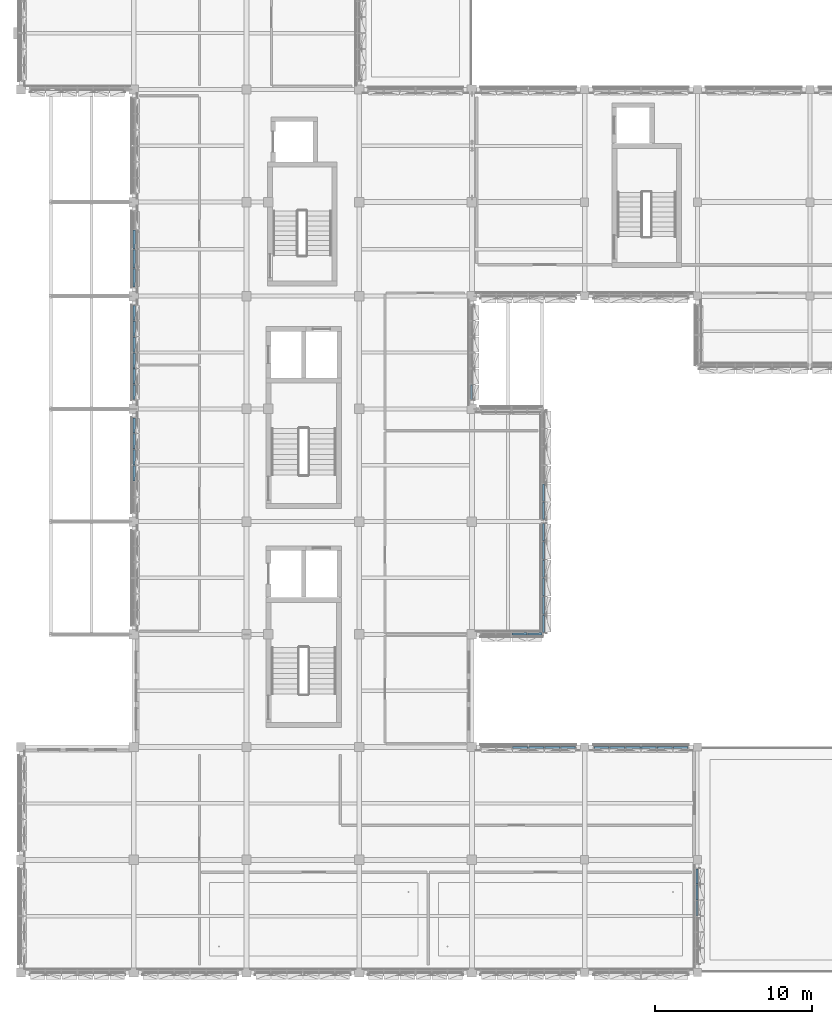
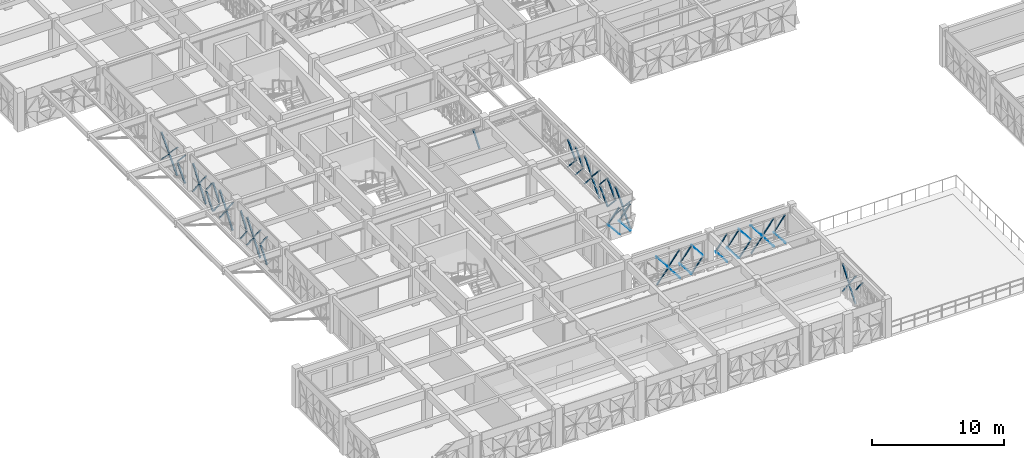
# One storey, part 58 of 99: 72 discrete accessories.
"""IFC4 building model written with IfcOpenShell, lengths in metres."""

from ifc_helpers import new_model, si_unit, direction, frame, origin, origin_2d, place, context, subcontext, project, spatial, rectangle, extrude, material, type_object, element, save


model = new_model("IFC4")

# Units and contexts
model_context = context("Model", 3, precision=1e-05, world=origin(), true_north=direction((0.0, 1.0)))
body_context = subcontext(model_context, "Body", "Model", "MODEL_VIEW")
ifc_project = project(units=[si_unit("LENGTHUNIT", "METRE"), si_unit("AREAUNIT", "SQUARE_METRE"), si_unit("VOLUMEUNIT", "CUBIC_METRE"), si_unit("PLANEANGLEUNIT", "RADIAN"), si_unit("MASSUNIT", "GRAM", prefix="KILO")], contexts=[model_context])

# Site, building, storey
site_placement = place(None, origin())
site = spatial("IfcSite", under=ifc_project, at=site_placement, CompositionType="ELEMENT")
building_placement = place(site_placement, origin())
building = spatial("IfcBuilding", under=site, at=building_placement, Name="Alvorim Cloister Faculty of Sciences", CompositionType="ELEMENT")
storey_placement = place(building_placement, frame((0.0, 0.0, 12.14990234375)))
storey = spatial("IfcBuildingStorey", under=building, at=storey_placement, Name="L03", CompositionType="ELEMENT", Elevation=12.14990234375)

# Discrete accessories
ifc_material = material(Name="Aluminium Alloy 6063-T6", Category="aluminium")
discrete_accessory_type = type_object("IfcDiscreteAccessoryType", Name="ACC-DIAG-BAR", PredefinedType="BRACKET", material=ifc_material)
discrete_accessory_1_placement = place(storey_placement, frame((7.222412109375, 31.41259765625, 0.14013671875), z_axis=(0.006477959981, 0.61793418254, 0.786203143012), x_axis=(-0.999945055239, 0.010482676365, 0.0)))
element("IfcDiscreteAccessory", 1, at=discrete_accessory_1_placement, inside=storey, type_object=discrete_accessory_type, Name="Diagonal Cassette Glazing Bracket ACC-01039", PredefinedType="BRACKET", context=body_context, shape_type="SweptSolid", body=[
    extrude(rectangle(XDim=0.139892578125, YDim=0.044921875, at=origin_2d()), origin(), (0.0, 0.0, 1.0), 1.545166015625),
])
discrete_accessory_2_placement = place(storey_placement, frame((7.222412109375, 31.41259765625, 2.710205078125), z_axis=(0.006477155362, 0.61785742976, -0.786263469168), x_axis=(-0.999945055239, 0.010482676365, 0.0)))
element("IfcDiscreteAccessory", 2, at=discrete_accessory_2_placement, inside=storey, type_object=discrete_accessory_type, Name="Diagonal Cassette Glazing Bracket ACC-01040", PredefinedType="BRACKET", context=body_context, shape_type="SweptSolid", body=[
    extrude(rectangle(XDim=0.139892578125, YDim=0.044921875, at=origin_2d()), origin(), (0.0, 0.0, 1.0), 1.54541015625),
])
discrete_accessory_3_placement = place(storey_placement, frame((7.222412109375, 32.4326171875, 0.14013671875), z_axis=(0.006477959981, 0.61793418254, 0.786203143012), x_axis=(-0.999945055239, 0.010482676365, 0.0)))
element("IfcDiscreteAccessory", 3, at=discrete_accessory_3_placement, inside=storey, type_object=discrete_accessory_type, Name="Diagonal Cassette Glazing Bracket ACC-01041", PredefinedType="BRACKET", context=body_context, shape_type="SweptSolid", body=[
    extrude(rectangle(XDim=0.139892578125, YDim=0.044921875, at=origin_2d()), origin(), (0.0, 0.0, 1.0), 1.545166015625),
])
for number, where, z_axis, x_axis, name in (
    (4, (7.222412109375, 32.4326171875, 2.710205078125), (0.006477155362, 0.61785742976, -0.786263469168), (-0.999945055239, 0.010482676365, 0.0), "Diagonal Cassette Glazing Bracket ACC-01042"),
    (5, (7.222412109375, 33.452392578125, 1.35498046875), (0.00647732753, 0.618031836495, -0.786126385072), (-0.999945083323, 0.010479997039, 0.0), "Diagonal Cassette Glazing Bracket ACC-01043"),
):
    element("IfcDiscreteAccessory", number, at=place(storey_placement, frame(where, z_axis=z_axis, x_axis=x_axis)), inside=storey, type_object=discrete_accessory_type, Name=name, PredefinedType="BRACKET", context=body_context, shape_type="SweptSolid", body=[
        extrude(rectangle(XDim=0.139892578125, YDim=0.044921875, at=origin_2d()), origin(), (0.0, 0.0, 1.0), 1.54541015625),
    ])
discrete_accessory_4_placement = place(storey_placement, frame((7.222412109375, 33.452392578125, 1.4951171875), z_axis=(0.006476523147, 0.617955086572, 0.786186724404), x_axis=(-0.999945083323, 0.010479997039, 0.0)))
element("IfcDiscreteAccessory", 6, at=discrete_accessory_4_placement, inside=storey, type_object=discrete_accessory_type, Name="Diagonal Cassette Glazing Bracket ACC-01044", PredefinedType="BRACKET", context=body_context, shape_type="SweptSolid", body=[
    extrude(rectangle(XDim=0.139892578125, YDim=0.044921875, at=origin_2d()), origin(), (0.0, 0.0, 1.0), 1.545654296875),
])
discrete_accessory_5_placement = place(storey_placement, frame((7.222412109375, 34.472412109375, 1.35498046875), z_axis=(0.006561629754, 0.604790215644, -0.796357796519), x_axis=(-0.999941150118, 0.010848792579, 0.0)))
element("IfcDiscreteAccessory", 7, at=discrete_accessory_5_placement, inside=storey, type_object=discrete_accessory_type, Name="Diagonal Cassette Glazing Bracket ACC-01045", PredefinedType="BRACKET", context=body_context, shape_type="SweptSolid", body=[
    extrude(rectangle(XDim=0.139892578125, YDim=0.044921875, at=origin_2d()), origin(), (0.0, 0.0, 1.0), 1.525390625),
])
discrete_accessory_6_placement = place(storey_placement, frame((7.222412109375, 34.472412109375, 1.4951171875), z_axis=(0.006560793558, 0.604713142785, 0.796416330151), x_axis=(-0.999941150118, 0.010848792579, 0.0)))
element("IfcDiscreteAccessory", 8, at=discrete_accessory_6_placement, inside=storey, type_object=discrete_accessory_type, Name="Diagonal Cassette Glazing Bracket ACC-01046", PredefinedType="BRACKET", context=body_context, shape_type="SweptSolid", body=[
    extrude(rectangle(XDim=0.139892578125, YDim=0.044921875, at=origin_2d()), origin(), (0.0, 0.0, 1.0), 1.525634765625),
])
discrete_accessory_7_placement = place(storey_placement, frame((7.222412109375, 36.60498046875, 0.14013671875), z_axis=(0.006561629754, 0.604790215644, 0.796357796519), x_axis=(-0.999941150118, 0.010848792579, 0.0)))
element("IfcDiscreteAccessory", 9, at=discrete_accessory_7_placement, inside=storey, type_object=discrete_accessory_type, Name="Diagonal Cassette Glazing Bracket ACC-01048", PredefinedType="BRACKET", context=body_context, shape_type="SweptSolid", body=[
    extrude(rectangle(XDim=0.139892578125, YDim=0.044921875, at=origin_2d()), origin(), (0.0, 0.0, 1.0), 1.525390625),
])
discrete_accessory_8_placement = place(storey_placement, frame((7.222412109375, 36.60498046875, 2.710205078125), z_axis=(0.006560793558, 0.604713142785, -0.796416330151), x_axis=(-0.999941150118, 0.010848792579, 0.0)))
element("IfcDiscreteAccessory", 10, at=discrete_accessory_8_placement, inside=storey, type_object=discrete_accessory_type, Name="Diagonal Cassette Glazing Bracket ACC-01049", PredefinedType="BRACKET", context=body_context, shape_type="SweptSolid", body=[
    extrude(rectangle(XDim=0.139892578125, YDim=0.044921875, at=origin_2d()), origin(), (0.0, 0.0, 1.0), 1.525634765625),
])
discrete_accessory_9_placement = place(storey_placement, frame((7.222412109375, 37.592529296875, 1.35498046875), z_axis=(0.00647732753, 0.618031836495, -0.786126385072), x_axis=(-0.999945083323, 0.010479997039, 0.0)))
element("IfcDiscreteAccessory", 11, at=discrete_accessory_9_placement, inside=storey, type_object=discrete_accessory_type, Name="Diagonal Cassette Glazing Bracket ACC-01050", PredefinedType="BRACKET", context=body_context, shape_type="SweptSolid", body=[
    extrude(rectangle(XDim=0.139892578125, YDim=0.044921875, at=origin_2d()), origin(), (0.0, 0.0, 1.0), 1.54541015625),
])
discrete_accessory_10_placement = place(storey_placement, frame((7.222412109375, 37.592529296875, 1.4951171875), z_axis=(0.006476523147, 0.617955086572, 0.786186724404), x_axis=(-0.999945083323, 0.010479997039, 0.0)))
element("IfcDiscreteAccessory", 12, at=discrete_accessory_10_placement, inside=storey, type_object=discrete_accessory_type, Name="Diagonal Cassette Glazing Bracket ACC-01051", PredefinedType="BRACKET", context=body_context, shape_type="SweptSolid", body=[
    extrude(rectangle(XDim=0.139892578125, YDim=0.044921875, at=origin_2d()), origin(), (0.0, 0.0, 1.0), 1.545654296875),
])
discrete_accessory_11_placement = place(storey_placement, frame((7.222412109375, 38.612548828125, 1.35498046875), z_axis=(0.006477959981, 0.61793418254, -0.786203143012), x_axis=(-0.999945055239, 0.010482676365, 0.0)))
element("IfcDiscreteAccessory", 13, at=discrete_accessory_11_placement, inside=storey, type_object=discrete_accessory_type, Name="Diagonal Cassette Glazing Bracket ACC-01052", PredefinedType="BRACKET", context=body_context, shape_type="SweptSolid", body=[
    extrude(rectangle(XDim=0.139892578125, YDim=0.044921875, at=origin_2d()), origin(), (0.0, 0.0, 1.0), 1.545166015625),
])
discrete_accessory_12_placement = place(storey_placement, frame((7.222412109375, 38.612548828125, 1.4951171875), z_axis=(0.006477155362, 0.61785742976, 0.786263469168), x_axis=(-0.999945055239, 0.010482676365, 0.0)))
element("IfcDiscreteAccessory", 14, at=discrete_accessory_12_placement, inside=storey, type_object=discrete_accessory_type, Name="Diagonal Cassette Glazing Bracket ACC-01053", PredefinedType="BRACKET", context=body_context, shape_type="SweptSolid", body=[
    extrude(rectangle(XDim=0.139892578125, YDim=0.044921875, at=origin_2d()), origin(), (0.0, 0.0, 1.0), 1.54541015625),
])
discrete_accessory_13_placement = place(storey_placement, frame((7.222412109375, 39.632568359375, 0.14013671875), z_axis=(0.006477959981, 0.61793418254, 0.786203143012), x_axis=(-0.999945055239, 0.010482676365, 0.0)))
element("IfcDiscreteAccessory", 15, at=discrete_accessory_13_placement, inside=storey, type_object=discrete_accessory_type, Name="Diagonal Cassette Glazing Bracket ACC-01054", PredefinedType="BRACKET", context=body_context, shape_type="SweptSolid", body=[
    extrude(rectangle(XDim=0.139892578125, YDim=0.044921875, at=origin_2d()), origin(), (0.0, 0.0, 1.0), 1.545166015625),
])
discrete_accessory_14_placement = place(storey_placement, frame((7.222412109375, 39.632568359375, 2.710205078125), z_axis=(0.006477155362, 0.61785742976, -0.786263469168), x_axis=(-0.999945055239, 0.010482676365, 0.0)))
element("IfcDiscreteAccessory", 16, at=discrete_accessory_14_placement, inside=storey, type_object=discrete_accessory_type, Name="Diagonal Cassette Glazing Bracket ACC-01055", PredefinedType="BRACKET", context=body_context, shape_type="SweptSolid", body=[
    extrude(rectangle(XDim=0.139892578125, YDim=0.044921875, at=origin_2d()), origin(), (0.0, 0.0, 1.0), 1.54541015625),
])
discrete_accessory_15_placement = place(storey_placement, frame((7.222412109375, 40.652587890625, 0.14013671875), z_axis=(0.006477959981, 0.61793418254, 0.786203143012), x_axis=(-0.999945055239, 0.010482676365, 0.0)))
element("IfcDiscreteAccessory", 17, at=discrete_accessory_15_placement, inside=storey, type_object=discrete_accessory_type, Name="Diagonal Cassette Glazing Bracket ACC-01056", PredefinedType="BRACKET", context=body_context, shape_type="SweptSolid", body=[
    extrude(rectangle(XDim=0.139892578125, YDim=0.044921875, at=origin_2d()), origin(), (0.0, 0.0, 1.0), 1.545166015625),
])
discrete_accessory_16_placement = place(storey_placement, frame((7.222412109375, 40.652587890625, 2.710205078125), z_axis=(0.006477155362, 0.61785742976, -0.786263469168), x_axis=(-0.999945055239, 0.010482676365, 0.0)))
element("IfcDiscreteAccessory", 18, at=discrete_accessory_16_placement, inside=storey, type_object=discrete_accessory_type, Name="Diagonal Cassette Glazing Bracket ACC-01057", PredefinedType="BRACKET", context=body_context, shape_type="SweptSolid", body=[
    extrude(rectangle(XDim=0.139892578125, YDim=0.044921875, at=origin_2d()), origin(), (0.0, 0.0, 1.0), 1.54541015625),
])
discrete_accessory_17_placement = place(storey_placement, frame((7.222412109375, 41.672607421875, 1.35498046875), z_axis=(0.006562264866, 0.604688699088, -0.796434877359), x_axis=(-0.999941118963, 0.010851663811, 0.0)))
element("IfcDiscreteAccessory", 19, at=discrete_accessory_17_placement, inside=storey, type_object=discrete_accessory_type, Name="Diagonal Cassette Glazing Bracket ACC-01058", PredefinedType="BRACKET", context=body_context, shape_type="SweptSolid", body=[
    extrude(rectangle(XDim=0.139892578125, YDim=0.044921875, at=origin_2d()), origin(), (0.0, 0.0, 1.0), 1.525390625),
])
discrete_accessory_18_placement = place(storey_placement, frame((7.222412109375, 41.672607421875, 1.4951171875), z_axis=(0.006561428426, 0.604611624251, 0.796493397008), x_axis=(-0.999941118963, 0.010851663811, 0.0)))
element("IfcDiscreteAccessory", 20, at=discrete_accessory_18_placement, inside=storey, type_object=discrete_accessory_type, Name="Diagonal Cassette Glazing Bracket ACC-01059", PredefinedType="BRACKET", context=body_context, shape_type="SweptSolid", body=[
    extrude(rectangle(XDim=0.139892578125, YDim=0.044921875, at=origin_2d()), origin(), (0.0, 0.0, 1.0), 1.525634765625),
])
discrete_accessory_19_placement = place(storey_placement, frame((7.222412109375, 43.804931640625, 0.14013671875), z_axis=(0.006026637726, 0.681892009975, 0.731428032256), x_axis=(-0.999960946179, 0.0088377665, 0.0)))
element("IfcDiscreteAccessory", 21, at=discrete_accessory_19_placement, inside=storey, type_object=discrete_accessory_type, Name="Diagonal Cassette Glazing Bracket ACC-01061", PredefinedType="BRACKET", context=body_context, shape_type="SweptSolid", body=[
    extrude(rectangle(XDim=0.139892578125, YDim=0.044921875, at=origin_2d()), origin(), (0.0, 0.0, 1.0), 1.660888671875),
])
discrete_accessory_20_placement = place(storey_placement, frame((7.222412109375, 43.804931640625, 2.710205078125), z_axis=(0.00602598982, 0.681818701864, -0.731496374041), x_axis=(-0.999960946179, 0.0088377665, 0.0)))
element("IfcDiscreteAccessory", 22, at=discrete_accessory_20_placement, inside=storey, type_object=discrete_accessory_type, Name="Diagonal Cassette Glazing Bracket ACC-01062", PredefinedType="BRACKET", context=body_context, shape_type="SweptSolid", body=[
    extrude(rectangle(XDim=0.139892578125, YDim=0.044921875, at=origin_2d()), origin(), (0.0, 0.0, 1.0), 1.6611328125),
])
for number, where, z_axis, x_axis, name in (
    (23, (7.222412109375, 45.00244140625, 0.14013671875), (0.005946762236, 0.692145107094, 0.721733875293), (-0.999963092655, 0.008591468315, 0.0), "Diagonal Cassette Glazing Bracket ACC-01063"),
    (24, (7.222412109375, 45.00244140625, 2.710205078125), (0.00594613975, 0.692072655757, -0.721803354506), (-0.999963092655, 0.008591468315, 0.0), "Diagonal Cassette Glazing Bracket ACC-01064"),
    (25, (7.222412109375, 46.232421875, 1.35498046875), (0.005946762236, 0.692145107094, -0.721733875293), (-0.999963092655, 0.008591468315, 0.0), "Diagonal Cassette Glazing Bracket ACC-01065"),
    (26, (7.222412109375, 46.232421875, 1.4951171875), (0.00594613975, 0.692072655757, 0.721803354506), (-0.999963092655, 0.008591468315, 0.0), "Diagonal Cassette Glazing Bracket ACC-01066"),
):
    element("IfcDiscreteAccessory", number, at=place(storey_placement, frame(where, z_axis=z_axis, x_axis=x_axis)), inside=storey, type_object=discrete_accessory_type, Name=name, PredefinedType="BRACKET", context=body_context, shape_type="SweptSolid", body=[
        extrude(rectangle(XDim=0.139892578125, YDim=0.044921875, at=origin_2d()), origin(), (0.0, 0.0, 1.0), 1.683349609375),
    ])
discrete_accessory_21_placement = place(storey_placement, frame((28.777587890625, 36.60498046875, 0.14013671875), z_axis=(-0.006561629754, 0.604790215644, 0.796357796519), x_axis=(-0.999941150118, -0.010848792579, 0.0)))
element("IfcDiscreteAccessory", 27, at=discrete_accessory_21_placement, inside=storey, type_object=discrete_accessory_type, Name="Diagonal Cassette Glazing Bracket ACC-01501", PredefinedType="BRACKET", context=body_context, shape_type="SweptSolid", body=[
    extrude(rectangle(XDim=0.139892578125, YDim=0.044921875, at=origin_2d()), origin(), (0.0, 0.0, 1.0), 1.525390625),
])
for number, where, z_axis, x_axis, name in (
    (28, (33.37744140625, 28.945068359375, 1.358642578125), (-0.006158308683, 0.661792879469, -0.749661430193), (-0.999956706716, -0.009305089645, 0.0), "Diagonal Cassette Glazing Bracket ACC-01523"),
    (29, (33.37744140625, 28.945068359375, 1.49853515625), (-0.006158308683, 0.661792879469, 0.749661430193), (-0.999956706716, -0.009305089645, 0.0), "Diagonal Cassette Glazing Bracket ACC-01524"),
):
    element("IfcDiscreteAccessory", number, at=place(storey_placement, frame(where, z_axis=z_axis, x_axis=x_axis)), inside=storey, type_object=discrete_accessory_type, Name=name, PredefinedType="BRACKET", context=body_context, shape_type="SweptSolid", body=[
        extrude(rectangle(XDim=0.139892578125, YDim=0.044921875, at=origin_2d()), origin(), (0.0, 0.0, 1.0), 1.62548828125),
    ])
for number, where, z_axis, x_axis, name in (
    (30, (33.37744140625, 30.0859375, 1.358642578125), (-0.006077290604, 0.67280053784, -0.739798961084), (-0.999959206518, -0.009032458133, 0.0), "Diagonal Cassette Glazing Bracket ACC-01525"),
    (31, (33.37744140625, 30.0859375, 1.49853515625), (-0.006077290604, 0.67280053784, 0.739798961084), (-0.999959206518, -0.009032458133, 0.0), "Diagonal Cassette Glazing Bracket ACC-01526"),
):
    element("IfcDiscreteAccessory", number, at=place(storey_placement, frame(where, z_axis=z_axis, x_axis=x_axis)), inside=storey, type_object=discrete_accessory_type, Name=name, PredefinedType="BRACKET", context=body_context, shape_type="SweptSolid", body=[
        extrude(rectangle(XDim=0.139892578125, YDim=0.044921875, at=origin_2d()), origin(), (0.0, 0.0, 1.0), 1.64697265625),
    ])
for number, where, z_axis, x_axis, name in (
    (32, (33.37744140625, 21.7451171875, 0.14013671875), (-0.006158308683, 0.661792879469, 0.749661430193), (-0.999956706716, -0.009305089645, 0.0), "Diagonal Cassette Glazing Bracket ACC-01536"),
    (33, (33.37744140625, 21.7451171875, 2.717041015625), (-0.006158308683, 0.661792879469, -0.749661430193), (-0.999956706716, -0.009305089645, 0.0), "Diagonal Cassette Glazing Bracket ACC-01537"),
):
    element("IfcDiscreteAccessory", number, at=place(storey_placement, frame(where, z_axis=z_axis, x_axis=x_axis)), inside=storey, type_object=discrete_accessory_type, Name=name, PredefinedType="BRACKET", context=body_context, shape_type="SweptSolid", body=[
        extrude(rectangle(XDim=0.139892578125, YDim=0.044921875, at=origin_2d()), origin(), (0.0, 0.0, 1.0), 1.62548828125),
    ])
for number, where, z_axis, x_axis, name in (
    (34, (33.37744140625, 22.8857421875, 1.358642578125), (-0.006076684558, 0.672881655969, -0.73972518611), (-0.999959224486, -0.009030468767, 0.0), "Diagonal Cassette Glazing Bracket ACC-01538"),
    (35, (33.37744140625, 22.8857421875, 1.49853515625), (-0.006076684558, 0.672881655969, 0.73972518611), (-0.999959224486, -0.009030468767, 0.0), "Diagonal Cassette Glazing Bracket ACC-01539"),
    (36, (33.37744140625, 24.05908203125, 1.358642578125), (-0.006076684558, 0.672881655969, -0.73972518611), (-0.999959224486, -0.009030468767, 0.0), "Diagonal Cassette Glazing Bracket ACC-01540"),
    (37, (33.37744140625, 24.05908203125, 1.49853515625), (-0.006076684558, 0.672881655969, 0.73972518611), (-0.999959224486, -0.009030468767, 0.0), "Diagonal Cassette Glazing Bracket ACC-01541"),
    (38, (33.37744140625, 25.232421875, 0.14013671875), (-0.006076684558, 0.672881655969, 0.73972518611), (-0.999959224486, -0.009030468767, 0.0), "Diagonal Cassette Glazing Bracket ACC-01542"),
    (39, (33.37744140625, 25.232421875, 2.717041015625), (-0.006076684558, 0.672881655969, -0.73972518611), (-0.999959224486, -0.009030468767, 0.0), "Diagonal Cassette Glazing Bracket ACC-01543"),
    (40, (33.37744140625, 26.40576171875, 0.14013671875), (-0.006076684558, 0.672881655969, 0.73972518611), (-0.999959224486, -0.009030468767, 0.0), "Diagonal Cassette Glazing Bracket ACC-01544"),
    (41, (33.37744140625, 26.40576171875, 2.717041015625), (-0.006076684558, 0.672881655969, -0.73972518611), (-0.999959224486, -0.009030468767, 0.0), "Diagonal Cassette Glazing Bracket ACC-01545"),
):
    element("IfcDiscreteAccessory", number, at=place(storey_placement, frame(where, z_axis=z_axis, x_axis=x_axis)), inside=storey, type_object=discrete_accessory_type, Name=name, PredefinedType="BRACKET", context=body_context, shape_type="SweptSolid", body=[
        extrude(rectangle(XDim=0.139892578125, YDim=0.044921875, at=origin_2d()), origin(), (0.0, 0.0, 1.0), 1.647216796875),
    ])
for number, where, z_axis, x_axis, name in (
    (42, (33.37744140625, 27.5791015625, 1.358642578125), (-0.00615769655, 0.661877285306, -0.749586914219), (-0.99995672636, -0.009302978394, 0.0), "Diagonal Cassette Glazing Bracket ACC-01546"),
    (43, (33.37744140625, 27.5791015625, 1.49853515625), (-0.00615769655, 0.661877285306, 0.749586914219), (-0.99995672636, -0.009302978394, 0.0), "Diagonal Cassette Glazing Bracket ACC-01547"),
):
    element("IfcDiscreteAccessory", number, at=place(storey_placement, frame(where, z_axis=z_axis, x_axis=x_axis)), inside=storey, type_object=discrete_accessory_type, Name=name, PredefinedType="BRACKET", context=body_context, shape_type="SweptSolid", body=[
        extrude(rectangle(XDim=0.139892578125, YDim=0.044921875, at=origin_2d()), origin(), (0.0, 0.0, 1.0), 1.62548828125),
    ])
for number, where, z_axis, x_axis, name in (
    (44, (31.362548828125, 21.62255859375, 1.283203125), (0.631064458964, 0.006792765245, -0.775700655519), (-0.010763356526, 0.9999420734, 0.0), "Diagonal Cassette Glazing Bracket ACC-01553"),
    (45, (31.362548828125, 21.62255859375, 1.423095703125), (0.631064458964, 0.006792765245, 0.775700655519), (-0.010763356526, 0.9999420734, 0.0), "Diagonal Cassette Glazing Bracket ACC-01554"),
):
    element("IfcDiscreteAccessory", number, at=place(storey_placement, frame(where, z_axis=z_axis, x_axis=x_axis)), inside=storey, type_object=discrete_accessory_type, Name=name, PredefinedType="BRACKET", context=body_context, shape_type="SweptSolid", body=[
        extrude(rectangle(XDim=0.139892578125, YDim=0.044921875, at=origin_2d()), origin(), (0.0, 0.0, 1.0), 1.4736328125),
    ])
for number, where, z_axis, x_axis, name in (
    (46, (32.357421875, 21.62255859375, 1.283203125), (0.617524934404, 0.006887519671, -0.78652114877), (-0.011152733966, 0.999937806329, 0.0), "Diagonal Cassette Glazing Bracket ACC-01555"),
    (47, (32.357421875, 21.62255859375, 1.423095703125), (0.617524934404, 0.006887519671, 0.78652114877), (-0.011152733966, 0.999937806329, 0.0), "Diagonal Cassette Glazing Bracket ACC-01556"),
):
    element("IfcDiscreteAccessory", number, at=place(storey_placement, frame(where, z_axis=z_axis, x_axis=x_axis)), inside=storey, type_object=discrete_accessory_type, Name=name, PredefinedType="BRACKET", context=body_context, shape_type="SweptSolid", body=[
        extrude(rectangle(XDim=0.139892578125, YDim=0.044921875, at=origin_2d()), origin(), (0.0, 0.0, 1.0), 1.453369140625),
    ])
discrete_accessory_22_placement = place(storey_placement, frame((31.41259765625, 14.37744140625, 0.14013671875), z_axis=(0.61793418254, -0.006477959981, 0.786203143012), x_axis=(0.010482676365, 0.999945055239, 0.0)))
element("IfcDiscreteAccessory", 48, at=discrete_accessory_22_placement, inside=storey, type_object=discrete_accessory_type, Name="Diagonal Cassette Glazing Bracket ACC-01562", PredefinedType="BRACKET", context=body_context, shape_type="SweptSolid", body=[
    extrude(rectangle(XDim=0.139892578125, YDim=0.044921875, at=origin_2d()), origin(), (0.0, 0.0, 1.0), 1.545166015625),
])
discrete_accessory_23_placement = place(storey_placement, frame((31.41259765625, 14.37744140625, 2.710205078125), z_axis=(0.61785742976, -0.006477155362, -0.786263469168), x_axis=(0.010482676365, 0.999945055239, 0.0)))
element("IfcDiscreteAccessory", 49, at=discrete_accessory_23_placement, inside=storey, type_object=discrete_accessory_type, Name="Diagonal Cassette Glazing Bracket ACC-01563", PredefinedType="BRACKET", context=body_context, shape_type="SweptSolid", body=[
    extrude(rectangle(XDim=0.139892578125, YDim=0.044921875, at=origin_2d()), origin(), (0.0, 0.0, 1.0), 1.54541015625),
])
discrete_accessory_24_placement = place(storey_placement, frame((32.4326171875, 14.37744140625, 1.35498046875), z_axis=(0.61793418254, -0.006477959981, -0.786203143012), x_axis=(0.010482676365, 0.999945055239, 0.0)))
element("IfcDiscreteAccessory", 50, at=discrete_accessory_24_placement, inside=storey, type_object=discrete_accessory_type, Name="Diagonal Cassette Glazing Bracket ACC-01564", PredefinedType="BRACKET", context=body_context, shape_type="SweptSolid", body=[
    extrude(rectangle(XDim=0.139892578125, YDim=0.044921875, at=origin_2d()), origin(), (0.0, 0.0, 1.0), 1.545166015625),
])
for number, where, z_axis, x_axis, name in (
    (51, (32.4326171875, 14.37744140625, 1.4951171875), (0.61785742976, -0.006477155362, 0.786263469168), (0.010482676365, 0.999945055239, 0.0), "Diagonal Cassette Glazing Bracket ACC-01565"),
    (52, (33.452392578125, 14.37744140625, 1.35498046875), (0.618031836495, -0.00647732753, -0.786126385072), (0.010479997039, 0.999945083323, 0.0), "Diagonal Cassette Glazing Bracket ACC-01566"),
):
    element("IfcDiscreteAccessory", number, at=place(storey_placement, frame(where, z_axis=z_axis, x_axis=x_axis)), inside=storey, type_object=discrete_accessory_type, Name=name, PredefinedType="BRACKET", context=body_context, shape_type="SweptSolid", body=[
        extrude(rectangle(XDim=0.139892578125, YDim=0.044921875, at=origin_2d()), origin(), (0.0, 0.0, 1.0), 1.54541015625),
    ])
discrete_accessory_25_placement = place(storey_placement, frame((33.452392578125, 14.37744140625, 1.4951171875), z_axis=(0.617955086572, -0.006476523147, 0.786186724404), x_axis=(0.010479997039, 0.999945083323, 0.0)))
element("IfcDiscreteAccessory", 53, at=discrete_accessory_25_placement, inside=storey, type_object=discrete_accessory_type, Name="Diagonal Cassette Glazing Bracket ACC-01567", PredefinedType="BRACKET", context=body_context, shape_type="SweptSolid", body=[
    extrude(rectangle(XDim=0.139892578125, YDim=0.044921875, at=origin_2d()), origin(), (0.0, 0.0, 1.0), 1.545654296875),
])
discrete_accessory_26_placement = place(storey_placement, frame((34.472412109375, 14.37744140625, 0.14013671875), z_axis=(0.604790215644, -0.006561629754, 0.796357796519), x_axis=(0.010848792579, 0.999941150118, 0.0)))
element("IfcDiscreteAccessory", 54, at=discrete_accessory_26_placement, inside=storey, type_object=discrete_accessory_type, Name="Diagonal Cassette Glazing Bracket ACC-01568", PredefinedType="BRACKET", context=body_context, shape_type="SweptSolid", body=[
    extrude(rectangle(XDim=0.139892578125, YDim=0.044921875, at=origin_2d()), origin(), (0.0, 0.0, 1.0), 1.525390625),
])
discrete_accessory_27_placement = place(storey_placement, frame((34.472412109375, 14.37744140625, 2.710205078125), z_axis=(0.604713142785, -0.006560793558, -0.796416330151), x_axis=(0.010848792579, 0.999941150118, 0.0)))
element("IfcDiscreteAccessory", 55, at=discrete_accessory_27_placement, inside=storey, type_object=discrete_accessory_type, Name="Diagonal Cassette Glazing Bracket ACC-01569", PredefinedType="BRACKET", context=body_context, shape_type="SweptSolid", body=[
    extrude(rectangle(XDim=0.139892578125, YDim=0.044921875, at=origin_2d()), origin(), (0.0, 0.0, 1.0), 1.525634765625),
])
discrete_accessory_28_placement = place(storey_placement, frame((36.60498046875, 14.37744140625, 1.35498046875), z_axis=(0.604790215644, -0.006561629754, -0.796357796519), x_axis=(0.010848792579, 0.999941150118, 0.0)))
element("IfcDiscreteAccessory", 56, at=discrete_accessory_28_placement, inside=storey, type_object=discrete_accessory_type, Name="Diagonal Cassette Glazing Bracket ACC-01571", PredefinedType="BRACKET", context=body_context, shape_type="SweptSolid", body=[
    extrude(rectangle(XDim=0.139892578125, YDim=0.044921875, at=origin_2d()), origin(), (0.0, 0.0, 1.0), 1.525390625),
])
discrete_accessory_29_placement = place(storey_placement, frame((36.60498046875, 14.37744140625, 1.4951171875), z_axis=(0.604713142785, -0.006560793558, 0.796416330151), x_axis=(0.010848792579, 0.999941150118, 0.0)))
element("IfcDiscreteAccessory", 57, at=discrete_accessory_29_placement, inside=storey, type_object=discrete_accessory_type, Name="Diagonal Cassette Glazing Bracket ACC-01572", PredefinedType="BRACKET", context=body_context, shape_type="SweptSolid", body=[
    extrude(rectangle(XDim=0.139892578125, YDim=0.044921875, at=origin_2d()), origin(), (0.0, 0.0, 1.0), 1.525634765625),
])
discrete_accessory_30_placement = place(storey_placement, frame((37.592529296875, 14.37744140625, 1.35498046875), z_axis=(0.618031836495, -0.00647732753, -0.786126385072), x_axis=(0.010479997039, 0.999945083323, 0.0)))
element("IfcDiscreteAccessory", 58, at=discrete_accessory_30_placement, inside=storey, type_object=discrete_accessory_type, Name="Diagonal Cassette Glazing Bracket ACC-01573", PredefinedType="BRACKET", context=body_context, shape_type="SweptSolid", body=[
    extrude(rectangle(XDim=0.139892578125, YDim=0.044921875, at=origin_2d()), origin(), (0.0, 0.0, 1.0), 1.54541015625),
])
discrete_accessory_31_placement = place(storey_placement, frame((37.592529296875, 14.37744140625, 1.4951171875), z_axis=(0.617955086572, -0.006476523147, 0.786186724404), x_axis=(0.010479997039, 0.999945083323, 0.0)))
element("IfcDiscreteAccessory", 59, at=discrete_accessory_31_placement, inside=storey, type_object=discrete_accessory_type, Name="Diagonal Cassette Glazing Bracket ACC-01574", PredefinedType="BRACKET", context=body_context, shape_type="SweptSolid", body=[
    extrude(rectangle(XDim=0.139892578125, YDim=0.044921875, at=origin_2d()), origin(), (0.0, 0.0, 1.0), 1.545654296875),
])
discrete_accessory_32_placement = place(storey_placement, frame((38.612548828125, 14.37744140625, 0.14013671875), z_axis=(0.61793418254, -0.006477959981, 0.786203143012), x_axis=(0.010482676365, 0.999945055239, 0.0)))
element("IfcDiscreteAccessory", 60, at=discrete_accessory_32_placement, inside=storey, type_object=discrete_accessory_type, Name="Diagonal Cassette Glazing Bracket ACC-01575", PredefinedType="BRACKET", context=body_context, shape_type="SweptSolid", body=[
    extrude(rectangle(XDim=0.139892578125, YDim=0.044921875, at=origin_2d()), origin(), (0.0, 0.0, 1.0), 1.545166015625),
])
discrete_accessory_33_placement = place(storey_placement, frame((38.612548828125, 14.37744140625, 2.710205078125), z_axis=(0.61785742976, -0.006477155362, -0.786263469168), x_axis=(0.010482676365, 0.999945055239, 0.0)))
element("IfcDiscreteAccessory", 61, at=discrete_accessory_33_placement, inside=storey, type_object=discrete_accessory_type, Name="Diagonal Cassette Glazing Bracket ACC-01576", PredefinedType="BRACKET", context=body_context, shape_type="SweptSolid", body=[
    extrude(rectangle(XDim=0.139892578125, YDim=0.044921875, at=origin_2d()), origin(), (0.0, 0.0, 1.0), 1.54541015625),
])
discrete_accessory_34_placement = place(storey_placement, frame((39.632568359375, 14.37744140625, 0.14013671875), z_axis=(0.61793418254, -0.006477959981, 0.786203143012), x_axis=(0.010482676365, 0.999945055239, 0.0)))
element("IfcDiscreteAccessory", 62, at=discrete_accessory_34_placement, inside=storey, type_object=discrete_accessory_type, Name="Diagonal Cassette Glazing Bracket ACC-01577", PredefinedType="BRACKET", context=body_context, shape_type="SweptSolid", body=[
    extrude(rectangle(XDim=0.139892578125, YDim=0.044921875, at=origin_2d()), origin(), (0.0, 0.0, 1.0), 1.545166015625),
])
discrete_accessory_35_placement = place(storey_placement, frame((39.632568359375, 14.37744140625, 2.710205078125), z_axis=(0.61785742976, -0.006477155362, -0.786263469168), x_axis=(0.010482676365, 0.999945055239, 0.0)))
element("IfcDiscreteAccessory", 63, at=discrete_accessory_35_placement, inside=storey, type_object=discrete_accessory_type, Name="Diagonal Cassette Glazing Bracket ACC-01578", PredefinedType="BRACKET", context=body_context, shape_type="SweptSolid", body=[
    extrude(rectangle(XDim=0.139892578125, YDim=0.044921875, at=origin_2d()), origin(), (0.0, 0.0, 1.0), 1.54541015625),
])
discrete_accessory_36_placement = place(storey_placement, frame((40.652587890625, 14.37744140625, 1.35498046875), z_axis=(0.61793418254, -0.006477959981, -0.786203143012), x_axis=(0.010482676365, 0.999945055239, 0.0)))
element("IfcDiscreteAccessory", 64, at=discrete_accessory_36_placement, inside=storey, type_object=discrete_accessory_type, Name="Diagonal Cassette Glazing Bracket ACC-01579", PredefinedType="BRACKET", context=body_context, shape_type="SweptSolid", body=[
    extrude(rectangle(XDim=0.139892578125, YDim=0.044921875, at=origin_2d()), origin(), (0.0, 0.0, 1.0), 1.545166015625),
])
discrete_accessory_37_placement = place(storey_placement, frame((40.652587890625, 14.37744140625, 1.4951171875), z_axis=(0.61785742976, -0.006477155362, 0.786263469168), x_axis=(0.010482676365, 0.999945055239, 0.0)))
element("IfcDiscreteAccessory", 65, at=discrete_accessory_37_placement, inside=storey, type_object=discrete_accessory_type, Name="Diagonal Cassette Glazing Bracket ACC-01580", PredefinedType="BRACKET", context=body_context, shape_type="SweptSolid", body=[
    extrude(rectangle(XDim=0.139892578125, YDim=0.044921875, at=origin_2d()), origin(), (0.0, 0.0, 1.0), 1.54541015625),
])
discrete_accessory_38_placement = place(storey_placement, frame((41.672607421875, 14.37744140625, 1.35498046875), z_axis=(0.604688699088, -0.006562264866, -0.796434877359), x_axis=(0.010851663811, 0.999941118963, 0.0)))
element("IfcDiscreteAccessory", 66, at=discrete_accessory_38_placement, inside=storey, type_object=discrete_accessory_type, Name="Diagonal Cassette Glazing Bracket ACC-01581", PredefinedType="BRACKET", context=body_context, shape_type="SweptSolid", body=[
    extrude(rectangle(XDim=0.139892578125, YDim=0.044921875, at=origin_2d()), origin(), (0.0, 0.0, 1.0), 1.525390625),
])
discrete_accessory_39_placement = place(storey_placement, frame((41.672607421875, 14.37744140625, 1.4951171875), z_axis=(0.604611624251, -0.006561428426, 0.796493397008), x_axis=(0.010851663811, 0.999941118963, 0.0)))
element("IfcDiscreteAccessory", 67, at=discrete_accessory_39_placement, inside=storey, type_object=discrete_accessory_type, Name="Diagonal Cassette Glazing Bracket ACC-01582", PredefinedType="BRACKET", context=body_context, shape_type="SweptSolid", body=[
    extrude(rectangle(XDim=0.139892578125, YDim=0.044921875, at=origin_2d()), origin(), (0.0, 0.0, 1.0), 1.525634765625),
])
discrete_accessory_40_placement = place(storey_placement, frame((43.177490234375, 3.632568359375, 2.710205078125), z_axis=(-0.006477155362, 0.61785742976, -0.786263469168), x_axis=(-0.999945055239, -0.010482676365, 0.0)))
element("IfcDiscreteAccessory", 68, at=discrete_accessory_40_placement, inside=storey, type_object=discrete_accessory_type, Name="Diagonal Cassette Glazing Bracket ACC-01591", PredefinedType="BRACKET", context=body_context, shape_type="SweptSolid", body=[
    extrude(rectangle(XDim=0.139892578125, YDim=0.044921875, at=origin_2d()), origin(), (0.0, 0.0, 1.0), 1.54541015625),
])
discrete_accessory_41_placement = place(storey_placement, frame((43.177490234375, 4.652587890625, 0.14013671875), z_axis=(-0.006477959981, 0.61793418254, 0.786203143012), x_axis=(-0.999945055239, -0.010482676365, 0.0)))
element("IfcDiscreteAccessory", 69, at=discrete_accessory_41_placement, inside=storey, type_object=discrete_accessory_type, Name="Diagonal Cassette Glazing Bracket ACC-01592", PredefinedType="BRACKET", context=body_context, shape_type="SweptSolid", body=[
    extrude(rectangle(XDim=0.139892578125, YDim=0.044921875, at=origin_2d()), origin(), (0.0, 0.0, 1.0), 1.545166015625),
])
discrete_accessory_42_placement = place(storey_placement, frame((43.177490234375, 4.652587890625, 2.710205078125), z_axis=(-0.006477155362, 0.61785742976, -0.786263469168), x_axis=(-0.999945055239, -0.010482676365, 0.0)))
element("IfcDiscreteAccessory", 70, at=discrete_accessory_42_placement, inside=storey, type_object=discrete_accessory_type, Name="Diagonal Cassette Glazing Bracket ACC-01593", PredefinedType="BRACKET", context=body_context, shape_type="SweptSolid", body=[
    extrude(rectangle(XDim=0.139892578125, YDim=0.044921875, at=origin_2d()), origin(), (0.0, 0.0, 1.0), 1.54541015625),
])
discrete_accessory_43_placement = place(storey_placement, frame((43.177490234375, 5.672607421875, 1.35498046875), z_axis=(-0.006562264866, 0.604688699088, -0.796434877359), x_axis=(-0.999941118963, -0.010851663811, 0.0)))
element("IfcDiscreteAccessory", 71, at=discrete_accessory_43_placement, inside=storey, type_object=discrete_accessory_type, Name="Diagonal Cassette Glazing Bracket ACC-01594", PredefinedType="BRACKET", context=body_context, shape_type="SweptSolid", body=[
    extrude(rectangle(XDim=0.139892578125, YDim=0.044921875, at=origin_2d()), origin(), (0.0, 0.0, 1.0), 1.525390625),
])
discrete_accessory_44_placement = place(storey_placement, frame((43.177490234375, 5.672607421875, 1.4951171875), z_axis=(-0.006561428426, 0.604611624251, 0.796493397008), x_axis=(-0.999941118963, -0.010851663811, 0.0)))
element("IfcDiscreteAccessory", 72, at=discrete_accessory_44_placement, inside=storey, type_object=discrete_accessory_type, Name="Diagonal Cassette Glazing Bracket ACC-01595", PredefinedType="BRACKET", context=body_context, shape_type="SweptSolid", body=[
    extrude(rectangle(XDim=0.139892578125, YDim=0.044921875, at=origin_2d()), origin(), (0.0, 0.0, 1.0), 1.525634765625),
])

save(model, "model.ifc")
